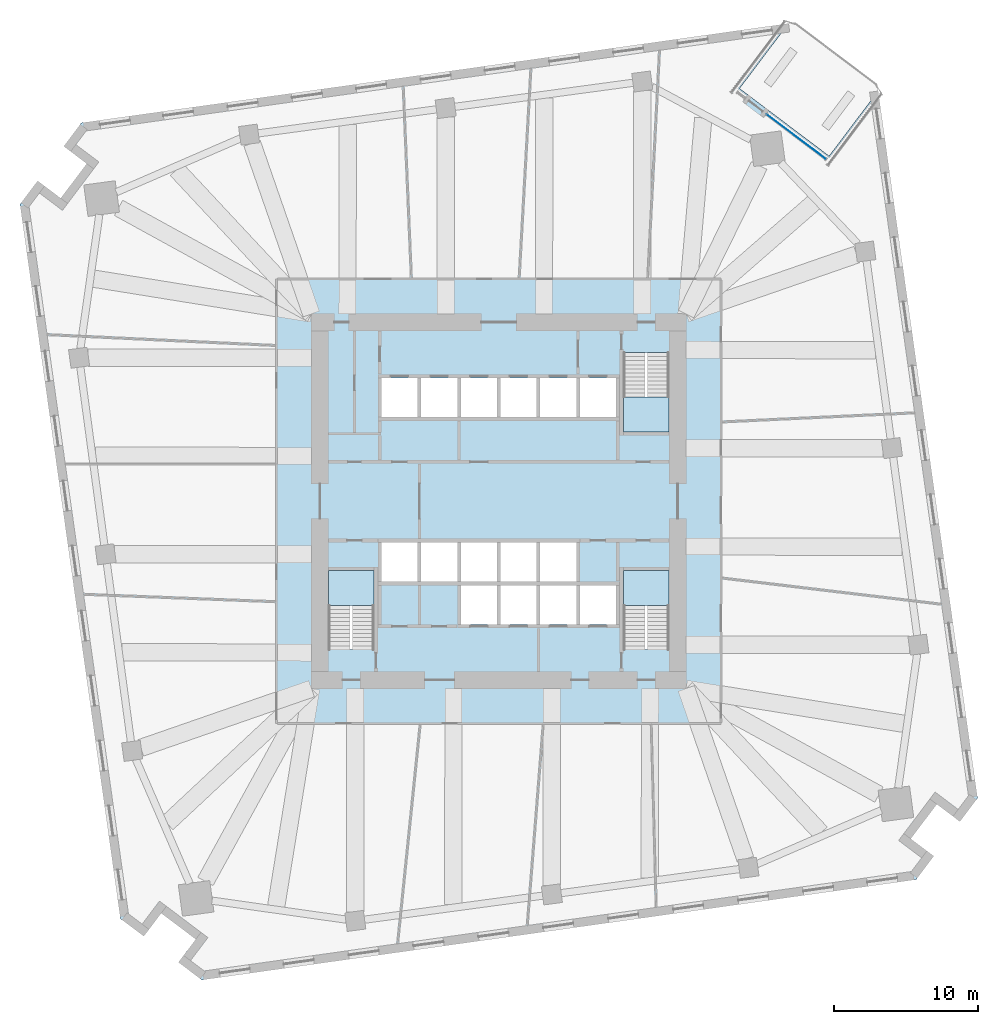
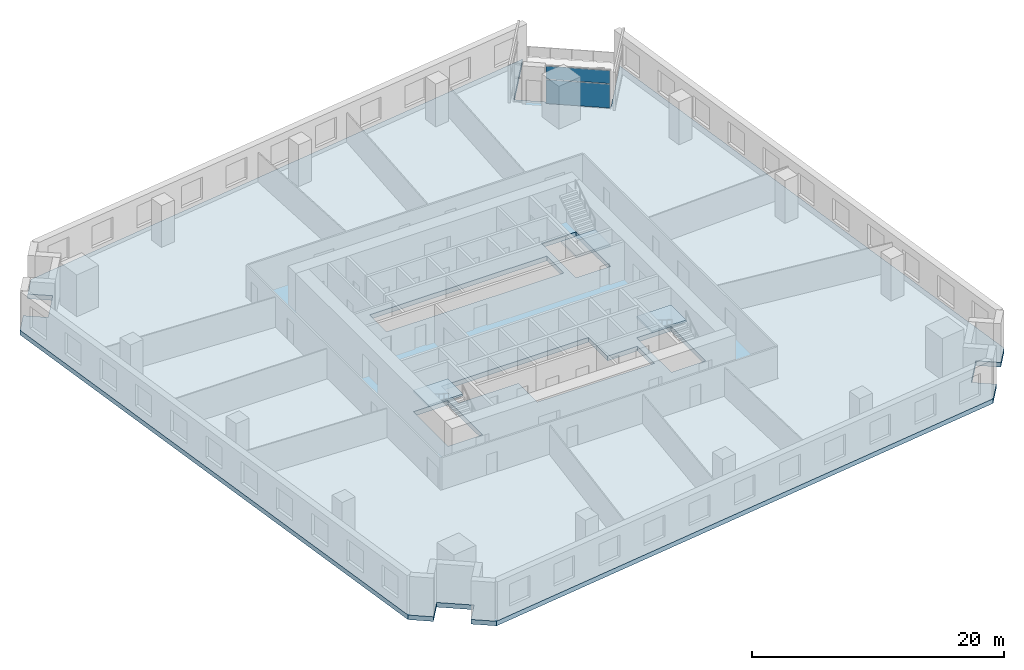
# One storey, part 3 of 12: 4 slabs, 2 plates, 4 elements without a shape of their own.
"""IFC4 building model written with IfcOpenShell, lengths in metres."""

from ifc_helpers import new_model, si_unit, direction, frame, origin, origin_2d, place, context, subcontext, project, spatial, polyline, rectangle, outline, extrude, material, layer, layer_set, type_object, element, aggregate, save


model = new_model("IFC4")

# Units and contexts
model_context = context("Model", 3, precision=1e-05, world=origin(), true_north=direction((0.0, 1.0)))
body_context = subcontext(model_context, "Body", "Model", "MODEL_VIEW")
ifc_project = project(units=[si_unit("LENGTHUNIT", "METRE"), si_unit("AREAUNIT", "SQUARE_METRE"), si_unit("VOLUMEUNIT", "CUBIC_METRE"), si_unit("PLANEANGLEUNIT", "RADIAN"), si_unit("MASSUNIT", "GRAM", prefix="KILO")], contexts=[model_context])

# Site, building, storey
site_placement = place(None, origin())
site = spatial("IfcSite", under=ifc_project, at=site_placement, CompositionType="ELEMENT")
building_placement = place(site_placement, origin())
building = spatial("IfcBuilding", under=site, at=building_placement, Name="Dilmun Exchange Tower", CompositionType="ELEMENT")
storey_placement = place(building_placement, frame((0.0, 0.0, 51.300048828125)))
storey = spatial("IfcBuildingStorey", under=building, at=storey_placement, Name="L11", CompositionType="ELEMENT", Elevation=51.300048828125)

# Stair, slab
ifc_material_1 = material(Name="Concrete C40/50", Category="concrete")
stair_type = type_object("IfcStairType", Name="Exit stair 1500 half-turn", PredefinedType="HALF_TURN_STAIR", material=ifc_material_1)
stair_1_placement = place(storey_placement, origin())
stair_1 = element("IfcStair", 1, at=stair_1_placement, inside=storey, type_object=stair_type, Name="L11 Protected exit stair ST1", PredefinedType="HALF_TURN_STAIR")
ifc_layer_1 = layer(ifc_material_1, 0.199951171875)
ifc_layer_set_1 = layer_set([ifc_layer_1], Name="Concrete C40/50")
slab_type_1 = type_object("IfcSlabType", Name="Exit stair landing 200", PredefinedType="LANDING", material=ifc_layer_set_1)
slab_1_placement = place(storey_placement, frame((0.0, 0.0, 1.89990234375)))
slab_1 = element("IfcSlab", 2, at=slab_1_placement, type_object=slab_type_1, Name="ST1 landing 1", PredefinedType="LANDING", context=body_context, shape_type="SweptSolid", body=[
    extrude(outline(polyline([(8.64990234375, 7.219970703125), (8.64990234375, 4.800048828125), (11.800048828125, 4.800048828125), (11.800048828125, 7.219970703125), (8.64990234375, 7.219970703125)])), origin(), (0.0, 0.0, 1.0), 0.199951171875),
])
aggregate(stair_1, [slab_1])

stair_2_placement = place(storey_placement, origin())
stair_2 = element("IfcStair", 3, at=stair_2_placement, inside=storey, type_object=stair_type, Name="L11 Protected exit stair ST2", PredefinedType="HALF_TURN_STAIR")
slab_2_placement = place(storey_placement, frame((0.0, 0.0, 1.89990234375)))
slab_2 = element("IfcSlab", 4, at=slab_2_placement, type_object=slab_type_1, Name="ST2 landing 1", PredefinedType="LANDING", context=body_context, shape_type="SweptSolid", body=[
    extrude(outline(polyline([(-8.64990234375, -7.219970703125), (-8.64990234375, -4.800048828125), (-11.800048828125, -4.800048828125), (-11.800048828125, -7.219970703125), (-8.64990234375, -7.219970703125)])), origin(), (0.0, 0.0, 1.0), 0.199951171875),
])
aggregate(stair_2, [slab_2])

stair_3_placement = place(storey_placement, origin())
stair_3 = element("IfcStair", 5, at=stair_3_placement, inside=storey, type_object=stair_type, Name="L11 Protected exit stair ST3", PredefinedType="HALF_TURN_STAIR")
slab_3_placement = place(storey_placement, frame((0.0, 0.0, 1.89990234375)))
slab_3 = element("IfcSlab", 6, at=slab_3_placement, type_object=slab_type_1, Name="ST3 landing 1", PredefinedType="LANDING", context=body_context, shape_type="SweptSolid", body=[
    extrude(outline(polyline([(11.800048828125, -7.219970703125), (11.800048828125, -4.800048828125), (8.64990234375, -4.800048828125), (8.64990234375, -7.219970703125), (11.800048828125, -7.219970703125)])), origin(), (0.0, 0.0, 1.0), 0.199951171875),
])
aggregate(stair_3, [slab_3])

# Curtain wall, plates
ifc_material_2 = material(Name="Anodised aluminium and clear glass", Category="aluminium")
curtain_wall_type = type_object("IfcCurtainWallType", Name="Garden corner glazing", PredefinedType="NOTDEFINED", material=ifc_material_2)
curtain_wall_placement = place(storey_placement, origin())
curtain_wall = element("IfcCurtainWall", 7, at=curtain_wall_placement, inside=storey, type_object=curtain_wall_type, Name="Garden corner glazing run GC2.1", PredefinedType="NOTDEFINED")
ifc_material_3 = material(Name="Clear glass", Category="glass")
ifc_layer_2 = layer(ifc_material_3, 0.028076171875)
ifc_layer_set_2 = layer_set([ifc_layer_2], Name="Clear glass")
plate_type = type_object("IfcPlateType", Name="Garden corner glazing glass panel 28", PredefinedType="CURTAIN_PANEL", material=ifc_layer_set_2)
plate_1_placement = place(storey_placement, frame((20.62744140625, 25.26416015625, 0.059814453125), z_axis=(0.0, 0.0, 1.0), x_axis=(-0.798630510323, 0.601821657953, 0.0)))
plate_1 = element("IfcPlate", 8, at=plate_1_placement, type_object=plate_type, Name="GC2.1 panel 1.1", PredefinedType="CURTAIN_PANEL", context=body_context, shape_type="SweptSolid", body=[
    extrude(rectangle(XDim=5.119140625, YDim=0.028076171875, at=origin_2d()), origin(), (0.0, 0.0, 1.0), 2.31005859375),
])
plate_2_placement = place(storey_placement, frame((20.62744140625, 25.26416015625, 2.43017578125), z_axis=(0.0, 0.0, 1.0), x_axis=(-0.798630510323, 0.601821657953, 0.0)))
plate_2 = element("IfcPlate", 9, at=plate_2_placement, type_object=plate_type, Name="GC2.1 panel 1.2", PredefinedType="CURTAIN_PANEL", context=body_context, shape_type="SweptSolid", body=[
    extrude(rectangle(XDim=5.119140625, YDim=0.028076171875, at=origin_2d()), origin(), (0.0, 0.0, 1.0), 1.260009765625),
])
aggregate(curtain_wall, [plate_1, plate_2])

# Slab
ifc_layer_3 = layer(ifc_material_1, 0.449951171875)
ifc_layer_set_3 = layer_set([ifc_layer_3], Name="Concrete C40/50")
slab_type_2 = type_object("IfcSlabType", Name="RC floor slab 450", PredefinedType="FLOOR", material=ifc_layer_set_3)
slab_4_placement = place(storey_placement, frame((0.0, 0.0, -0.449951171875)))
element("IfcSlab", 10, at=slab_4_placement, inside=storey, type_object=slab_type_2, Name="Floor slab", PredefinedType="FLOOR", context=body_context, shape_type="SweptSolid", body=[
    extrude(outline(polyline([(31.96240234375, -22.207275390625), (30.364990234375, -21.00341796875), (28.5595703125, -23.3994140625), (30.156982421875, -24.60302734375), (28.931884765625, -26.228759765625), (-20.58154296875, -33.1875), (-22.207275390625, -31.96240234375), (-21.00341796875, -30.364990234375), (-23.3994140625, -28.5595703125), (-24.60302734375, -30.156982421875), (-26.228759765625, -28.931884765625), (-33.1875, 20.58154296875), (-31.96240234375, 22.207275390625), (-30.364990234375, 21.00341796875), (-28.5595703125, 23.3994140625), (-30.156982421875, 24.60302734375), (-28.931884765625, 26.228759765625), (20.08642578125, 33.117919921875), (16.688232421875, 28.6083984375), (22.900146484375, 23.92724609375), (26.29833984375, 28.436767578125), (33.1875, -20.58154296875), (31.96240234375, -22.207275390625)]), holes=[polyline([(-8.64990234375, -4.800048828125), (-11.800048828125, -4.800048828125), (-11.800048828125, -10.294921875), (-8.64990234375, -10.294921875), (-8.64990234375, -4.800048828125)]), polyline([(11.800048828125, -4.800048828125), (8.64990234375, -4.800048828125), (8.64990234375, -10.294921875), (11.800048828125, -10.294921875), (11.800048828125, -4.800048828125)]), polyline([(-8.125, -2.85009765625), (-8.125, -5.550048828125), (-2.625, -5.550048828125), (-2.625, -8.550048828125), (8.125, -8.550048828125), (8.125, -5.85009765625), (5.375, -5.85009765625), (5.375, -2.85009765625), (-8.125, -2.85009765625)]), polyline([(-8.125, 5.85009765625), (8.125, 5.85009765625), (8.125, 8.550048828125), (-8.125, 8.550048828125), (-8.125, 5.85009765625)]), polyline([(8.64990234375, 10.294921875), (8.64990234375, 4.800048828125), (11.800048828125, 4.800048828125), (11.800048828125, 10.294921875), (8.64990234375, 10.294921875)])]), origin(), (0.0, 0.0, 1.0), 0.449951171875),
])

save(model, "model.ifc")
